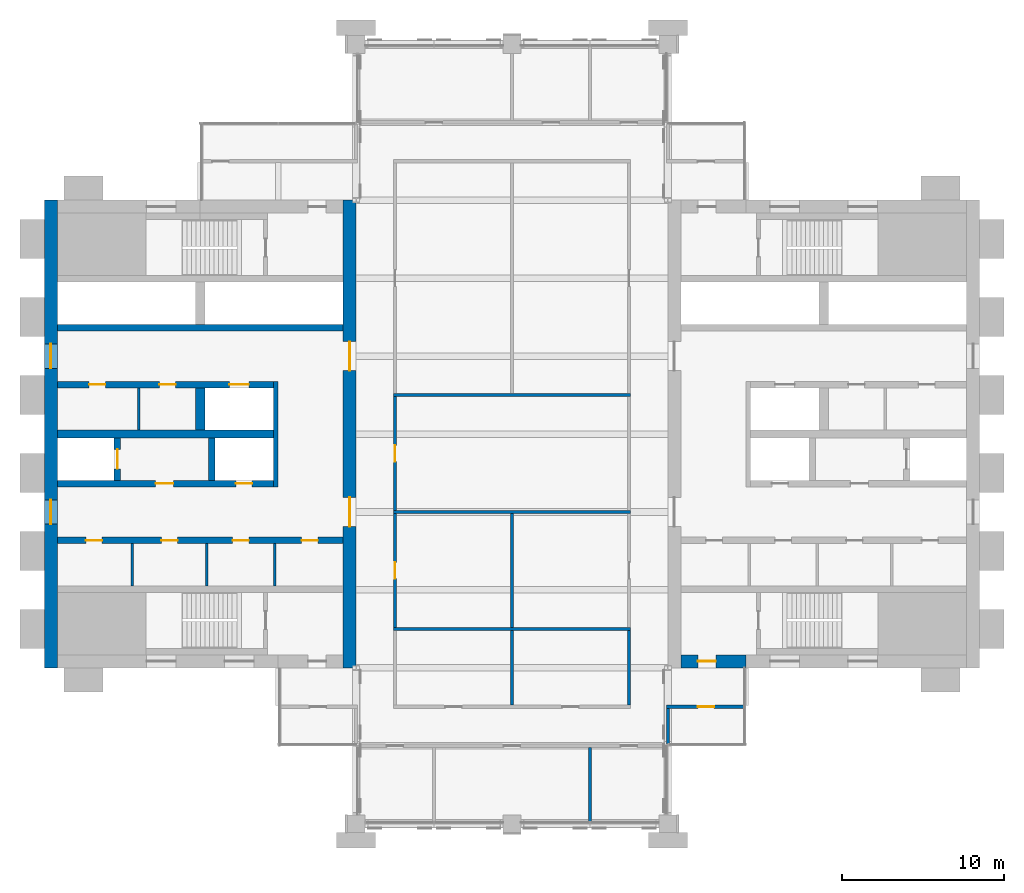
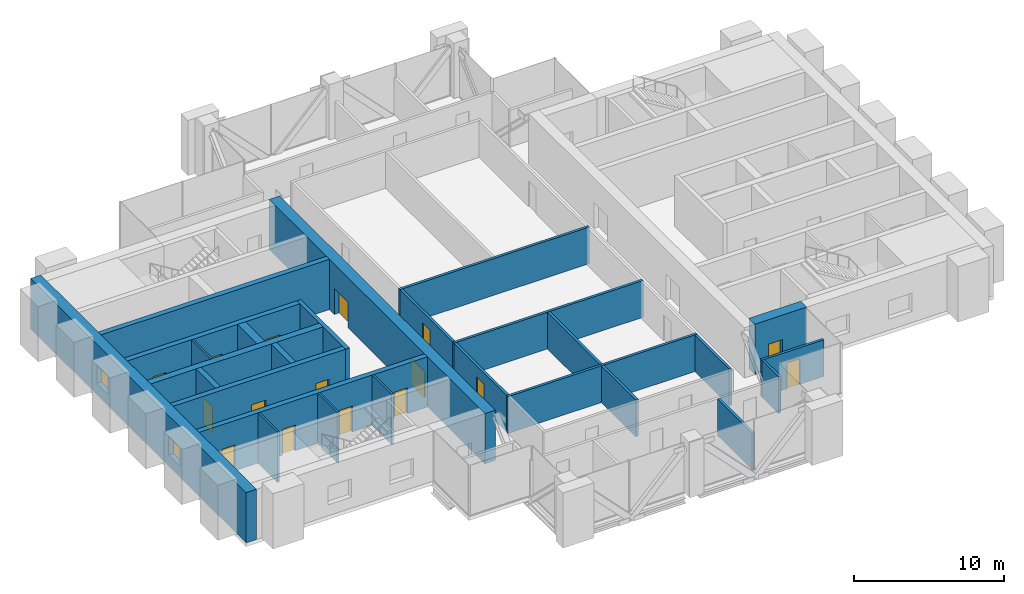
# One storey, part 9 of 13: 27 walls, 16 doors, 2 windows, 18 openings.
"""IFC4 building model written with IfcOpenShell, lengths in metres."""

from ifc_helpers import new_model, si_unit, direction, frame, frame_2d, origin, place, context, subcontext, project, spatial, rectangle, extrude, material, layer, layer_set, type_object, element, fill, save


model = new_model("IFC4")

# Units and contexts
model_context = context("Model", 3, precision=1e-05, world=origin(), true_north=direction((0.0, 1.0)))
body_context = subcontext(model_context, "Body", "Model", "MODEL_VIEW")
ifc_project = project(units=[si_unit("LENGTHUNIT", "METRE"), si_unit("AREAUNIT", "SQUARE_METRE"), si_unit("VOLUMEUNIT", "CUBIC_METRE"), si_unit("PLANEANGLEUNIT", "RADIAN"), si_unit("MASSUNIT", "GRAM", prefix="KILO")], contexts=[model_context])

# Site, building, storey
site_placement = place(None, origin())
site = spatial("IfcSite", under=ifc_project, at=site_placement, CompositionType="ELEMENT")
building_placement = place(site_placement, origin())
building = spatial("IfcBuilding", under=site, at=building_placement, Name="Baori Bourse Tower", CompositionType="ELEMENT")
storey_placement = place(building_placement, frame((0.0, 0.0, 265.199951171875)))
storey = spatial("IfcBuildingStorey", under=building, at=storey_placement, Name="L59", CompositionType="ELEMENT", Elevation=265.199951171875)

# Walls
ifc_material_1 = material(Name="Blockwork partition", Category="masonry")
ifc_layer_1 = layer(ifc_material_1, 0.14990234375)
ifc_layer_set_1 = layer_set([ifc_layer_1], Name="Core partition 150")
wall_type_1 = type_object("IfcWallType", Name="Core partition 150", PredefinedType="PARTITIONING", material=ifc_layer_set_1)
for number, where, z_axis, x_axis, name in (
    (1, (5.39990234375, 14.64990234375, 0.0), (0.0, 0.0, 1.0), (0.0, 1.0, 0.0), "Partition wall W09"),
    (2, (10.0, 14.64990234375, 0.0), (0.0, 0.0, 1.0), (0.0, 1.0, 0.0), "Partition wall W10"),
    (3, (14.199951171875, 14.64990234375, 0.0), (0.0, 0.0, 1.0), (0.0, 1.0, 0.0), "Partition wall W11"),
    (4, (5.800048828125, 24.25, 0.0), (0.0, 0.0, 1.0), (0.0, 1.0, 0.0), "Partition wall W18"),
):
    element("IfcWall", number, at=place(storey_placement, frame(where, z_axis=z_axis, x_axis=x_axis)), inside=storey, type_object=wall_type_1, Name=name, PredefinedType="PARTITIONING", context=body_context, shape_type="SweptSolid", body=[
        extrude(rectangle(XDim=2.60009765625, YDim=0.14990234375, at=frame_2d((1.300048828125, 0.0))), origin(), (0.0, 0.0, 1.0), 4.10009765625),
    ])

# Wall, openings, windows
ifc_material_2 = material(Name="Concrete f'c 50 MPa", Category="concrete")
ifc_layer_2 = layer(ifc_material_2, 0.800048828125)
ifc_layer_set_2 = layer_set([ifc_layer_2], Name="Core wall 800 f'c 50")
wall_type_2 = type_object("IfcWallType", Name="Core wall 800 f'c 50", PredefinedType="SHEAR", material=ifc_layer_set_2)
wall_1_placement = place(storey_placement, frame((0.39990234375, 9.60009765625, 0.0), z_axis=(0.0, 0.0, 1.0), x_axis=(0.0, 1.0, 0.0)))
wall_1 = element("IfcWall", 5, at=wall_1_placement, inside=storey, type_object=wall_type_2, Name="Core wall W01", PredefinedType="SHEAR", context=body_context, shape_type="SweptSolid", body=[
    extrude(rectangle(XDim=28.7998046875, YDim=0.800048828125, at=frame_2d((14.39990234375, 0.0))), origin(), (0.0, 0.0, 1.0), 4.10009765625),
])
opening_1_placement = place(wall_1_placement, frame((8.85009765625, 0.0, 0.89990234375)))
opening_1 = element("IfcOpeningElement", 6, at=opening_1_placement, cuts=wall_1, Name="Opening L59-KW101", PredefinedType="OPENING", context=body_context, shape_type="SweptSolid", body=[
    extrude(rectangle(XDim=1.5, YDim=1.5, at=frame_2d((0.75, 0.75))), frame((0.0, 0.409912109375, 0.0), z_axis=(0.0, -1.0, 0.0), x_axis=(1.0, 0.0, 0.0)), (0.0, 0.0, 1.0), 0.820068359375),
])
opening_2_placement = place(wall_1_placement, frame((18.449951171875, 0.0, 0.89990234375)))
opening_2 = element("IfcOpeningElement", 7, at=opening_2_placement, cuts=wall_1, Name="Opening L59-KW102", PredefinedType="OPENING", context=body_context, shape_type="SweptSolid", body=[
    extrude(rectangle(XDim=1.5, YDim=1.5, at=frame_2d((0.75, 0.75))), frame((0.0, 0.409912109375, 0.0), z_axis=(0.0, -1.0, 0.0), x_axis=(1.0, 0.0, 0.0)), (0.0, 0.0, 1.0), 0.820068359375),
])
ifc_material_3 = material(Name="Pale anodised aluminium", Category="aluminium")
window_type = type_object("IfcWindowType", Name="Lobby window 1500 x 1500", PartitioningType="SINGLE_PANEL", PredefinedType="WINDOW", material=ifc_material_3)
window_1_placement = place(opening_1_placement, origin())
window_1 = element("IfcWindow", 8, at=window_1_placement, inside=storey, type_object=window_type, Name="Outer wall window W L59 1", OverallHeight=1.5, OverallWidth=1.5, PartitioningType="SINGLE_PANEL", PredefinedType="WINDOW", context=body_context, shape_type="SweptSolid", body=[
    extrude(rectangle(XDim=1.5, YDim=1.5, at=frame_2d((0.75, 0.75))), frame((0.0, 0.030029296875, 0.0), z_axis=(0.0, -1.0, 0.0), x_axis=(1.0, 0.0, 0.0)), (0.0, 0.0, 1.0), 0.06005859375),
])
fill(opening_1, window_1)
window_2_placement = place(opening_2_placement, origin())
window_2 = element("IfcWindow", 9, at=window_2_placement, inside=storey, type_object=window_type, Name="Outer wall window W L59 2", OverallHeight=1.5, OverallWidth=1.5, PartitioningType="SINGLE_PANEL", PredefinedType="WINDOW", context=body_context, shape_type="SweptSolid", body=[
    extrude(rectangle(XDim=1.5, YDim=1.5, at=frame_2d((0.75, 0.75))), frame((0.0, 0.030029296875, 0.0), z_axis=(0.0, -1.0, 0.0), x_axis=(1.0, 0.0, 0.0)), (0.0, 0.0, 1.0), 0.06005859375),
])
fill(opening_2, window_2)

# Wall, openings, doors
wall_2_placement = place(storey_placement, frame((18.800048828125, 38.39990234375, 0.0), z_axis=(0.0, 0.0, 1.0), x_axis=(0.0, -1.0, 0.0)))
wall_2 = element("IfcWall", 10, at=wall_2_placement, inside=storey, type_object=wall_type_2, Name="Core wall W04", PredefinedType="SHEAR", context=body_context, shape_type="SweptSolid", body=[
    extrude(rectangle(XDim=28.7998046875, YDim=0.800048828125, at=frame_2d((14.39990234375, 0.0))), origin(), (0.0, 0.0, 1.0), 4.10009765625),
])
opening_3_placement = place(wall_2_placement, frame((18.300048828125, 0.0, 0.0)))
opening_3 = element("IfcOpeningElement", 11, at=opening_3_placement, cuts=wall_2, Name="Opening L59-D107", PredefinedType="OPENING", context=body_context, shape_type="SweptSolid", body=[
    extrude(rectangle(XDim=1.800048828125, YDim=2.10009765625, at=frame_2d((0.89990234375, 1.050048828125))), frame((0.0, 0.409912109375, 0.0), z_axis=(0.0, -1.0, 0.0), x_axis=(1.0, 0.0, 0.0)), (0.0, 0.0, 1.0), 0.820068359375),
])
opening_4_placement = place(wall_2_placement, frame((8.699951171875, 0.0, 0.0)))
opening_4 = element("IfcOpeningElement", 12, at=opening_4_placement, cuts=wall_2, Name="Opening L59-D108", PredefinedType="OPENING", context=body_context, shape_type="SweptSolid", body=[
    extrude(rectangle(XDim=1.800048828125, YDim=2.10009765625, at=frame_2d((0.89990234375, 1.050048828125))), frame((0.0, 0.409912109375, 0.0), z_axis=(0.0, -1.0, 0.0), x_axis=(1.0, 0.0, 0.0)), (0.0, 0.0, 1.0), 0.820068359375),
])
ifc_material_4 = material(Name="Painted steel door", Category="steel")
door_type_1 = type_object("IfcDoorType", Name="Core lobby door 1800", OperationType="DOUBLE_DOOR_SINGLE_SWING", PredefinedType="DOOR", material=ifc_material_4)
door_1_placement = place(opening_3_placement, origin())
door_1 = element("IfcDoor", 13, at=door_1_placement, inside=storey, type_object=door_type_1, Name="Lobby door W L59", OperationType="DOUBLE_DOOR_SINGLE_SWING", OverallHeight=2.10009765625, OverallWidth=1.800048828125, PredefinedType="DOOR", context=body_context, shape_type="SweptSolid", body=[
    extrude(rectangle(XDim=1.800048828125, YDim=2.10009765625, at=frame_2d((0.89990234375, 1.050048828125))), frame((0.0, 0.02490234375, 0.0), z_axis=(0.0, -1.0, 0.0), x_axis=(1.0, 0.0, 0.0)), (0.0, 0.0, 1.0), 0.050048828125),
])
fill(opening_3, door_1)
door_2_placement = place(opening_4_placement, origin())
door_2 = element("IfcDoor", 14, at=door_2_placement, inside=storey, type_object=door_type_1, Name="Lobby door W L59", OperationType="DOUBLE_DOOR_SINGLE_SWING", OverallHeight=2.10009765625, OverallWidth=1.800048828125, PredefinedType="DOOR", context=body_context, shape_type="SweptSolid", body=[
    extrude(rectangle(XDim=1.800048828125, YDim=2.10009765625, at=frame_2d((0.89990234375, 1.050048828125))), frame((0.0, 0.02490234375, 0.0), z_axis=(0.0, -1.0, 0.0), x_axis=(1.0, 0.0, 0.0)), (0.0, 0.0, 1.0), 0.050048828125),
])
fill(opening_4, door_2)

# Wall, opening, door
wall_3_placement = place(storey_placement, frame((43.199951171875, 10.0, 0.0), z_axis=(0.0, 0.0, 1.0), x_axis=(-1.0, 0.0, 0.0)))
wall_3 = element("IfcWall", 15, at=wall_3_placement, inside=storey, type_object=wall_type_2, Name="Core wall E03", PredefinedType="SHEAR", context=body_context, shape_type="SweptSolid", body=[
    extrude(rectangle(XDim=4.0, YDim=0.800048828125, at=frame_2d((2.0, 0.0))), origin(), (0.0, 0.0, 1.0), 4.10009765625),
])
opening_5_placement = place(wall_3_placement, frame((1.85009765625, 0.0, 0.0)))
opening_5 = element("IfcOpeningElement", 16, at=opening_5_placement, cuts=wall_3, Name="Opening L59-D202", PredefinedType="OPENING", context=body_context, shape_type="SweptSolid", body=[
    extrude(rectangle(XDim=1.10009765625, YDim=2.10009765625, at=frame_2d((0.550048828125, 1.050048828125))), frame((0.0, 0.409912109375, 0.0), z_axis=(0.0, -1.0, 0.0), x_axis=(1.0, 0.0, 0.0)), (0.0, 0.0, 1.0), 0.820068359375),
])
ifc_material_5 = material(Name="Painted steel door", Category="steel")
door_type_2 = type_object("IfcDoorType", Name="Stair door 1100", OperationType="SINGLE_SWING_LEFT", PredefinedType="DOOR", material=ifc_material_5)
door_3_placement = place(opening_5_placement, origin())
door_3 = element("IfcDoor", 17, at=door_3_placement, inside=storey, type_object=door_type_2, Name="Stair vestibule door A E L59", OperationType="SINGLE_SWING_LEFT", OverallHeight=2.10009765625, OverallWidth=1.10009765625, PredefinedType="DOOR", context=body_context, shape_type="SweptSolid", body=[
    extrude(rectangle(XDim=1.10009765625, YDim=2.10009765625, at=frame_2d((0.550048828125, 1.050048828125))), frame((0.0, 0.02490234375, 0.0), z_axis=(0.0, -1.0, 0.0), x_axis=(1.0, 0.0, 0.0)), (0.0, 0.0, 1.0), 0.050048828125),
])
fill(opening_5, door_3)

ifc_material_6 = material(Name="Gypsum board partition")
ifc_layer_3 = layer(ifc_material_6, 0.199951171875)
ifc_layer_set_3 = layer_set([ifc_layer_3], Name="Plant room wall 200")
wall_type_3 = type_object("IfcWallType", Name="Plant room wall 200", PredefinedType="PARTITIONING", material=ifc_layer_set_3)
wall_4_placement = place(storey_placement, frame((38.300048828125, 7.199951171875, 0.0), z_axis=(0.0, 0.0, 1.0), x_axis=(1.0, 0.0, 0.0)))
wall_4 = element("IfcWall", 18, at=wall_4_placement, inside=storey, type_object=wall_type_3, Name="Partition", PredefinedType="PARTITIONING", context=body_context, shape_type="SweptSolid", body=[
    extrude(rectangle(XDim=4.800048828125, YDim=0.199951171875, at=frame_2d((2.39990234375, 0.0))), origin(), (0.0, 0.0, 1.0), 2.99267578125),
])
opening_6_placement = place(wall_4_placement, frame((1.949951171875, 0.0, 0.0)))
opening_6 = element("IfcOpeningElement", 19, at=opening_6_placement, cuts=wall_4, Name="Opening L59-D07", PredefinedType="OPENING", context=body_context, shape_type="SweptSolid", body=[
    extrude(rectangle(XDim=1.0, YDim=2.10009765625, at=frame_2d((0.5, 1.050048828125))), frame((0.0, 0.10986328125, 0.0), z_axis=(0.0, -1.0, 0.0), x_axis=(1.0, 0.0, 0.0)), (0.0, 0.0, 1.0), 0.219970703125),
])
ifc_material_7 = material(Name="Timber door leaf", Category="wood")
door_type_3 = type_object("IfcDoorType", Name="Door 1000 x 2100", OperationType="SINGLE_SWING_LEFT", PredefinedType="DOOR", material=ifc_material_7)
door_4_placement = place(opening_6_placement, origin())
door_4 = element("IfcDoor", 20, at=door_4_placement, inside=storey, type_object=door_type_3, Name="Door", OperationType="SINGLE_SWING_RIGHT", OverallHeight=2.10009765625, OverallWidth=1.0, PredefinedType="DOOR", context=body_context, shape_type="SweptSolid", body=[
    extrude(rectangle(XDim=1.0, YDim=2.10009765625, at=frame_2d((0.5, 1.050048828125))), frame((0.0, 0.02490234375, 0.0), z_axis=(0.0, -1.0, 0.0), x_axis=(1.0, 0.0, 0.0)), (0.0, 0.0, 1.0), 0.050048828125),
])
fill(opening_6, door_4)

# Walls
for number, where, z_axis, x_axis, name in (
    (21, (21.5, 12.0, 0.0), (0.0, 0.0, 1.0), (1.0, 0.0, 0.0), "Partition"),
    (22, (21.5, 19.199951171875, 0.0), (0.0, 0.0, 1.0), (1.0, 0.0, 0.0), "Partition"),
    (23, (21.5, 26.39990234375, 0.0), (0.0, 0.0, 1.0), (1.0, 0.0, 0.0), "Partition"),
):
    element("IfcWall", number, at=place(storey_placement, frame(where, z_axis=z_axis, x_axis=x_axis)), inside=storey, type_object=wall_type_3, Name=name, PredefinedType="PARTITIONING", context=body_context, shape_type="SweptSolid", body=[
        extrude(rectangle(XDim=14.60009765625, YDim=0.199951171875, at=frame_2d((7.300048828125, 0.0))), origin(), (0.0, 0.0, 1.0), 2.99267578125),
    ])

# Wall, opening, door
wall_5_placement = place(storey_placement, frame((21.60009765625, 12.10009765625, 0.0), z_axis=(0.0, 0.0, 1.0), x_axis=(0.0, 1.0, 0.0)))
wall_5 = element("IfcWall", 24, at=wall_5_placement, inside=storey, type_object=wall_type_3, Name="Partition", PredefinedType="PARTITIONING", context=body_context, shape_type="SweptSolid", body=[
    extrude(rectangle(XDim=7.0, YDim=0.199951171875, at=frame_2d((3.5, 0.0))), origin(), (0.0, 0.0, 1.0), 2.99267578125),
])
opening_7_placement = place(wall_5_placement, frame((3.0, 0.0, 0.0)))
opening_7 = element("IfcOpeningElement", 25, at=opening_7_placement, cuts=wall_5, Name="Opening L59-D13", PredefinedType="OPENING", context=body_context, shape_type="SweptSolid", body=[
    extrude(rectangle(XDim=1.0, YDim=2.10009765625, at=frame_2d((0.5, 1.050048828125))), frame((0.0, 0.10986328125, 0.0), z_axis=(0.0, -1.0, 0.0), x_axis=(1.0, 0.0, 0.0)), (0.0, 0.0, 1.0), 0.219970703125),
])
door_5_placement = place(opening_7_placement, origin())
door_5 = element("IfcDoor", 26, at=door_5_placement, inside=storey, type_object=door_type_3, Name="Door", OperationType="SINGLE_SWING_LEFT", OverallHeight=2.10009765625, OverallWidth=1.0, PredefinedType="DOOR", context=body_context, shape_type="SweptSolid", body=[
    extrude(rectangle(XDim=1.0, YDim=2.10009765625, at=frame_2d((0.5, 1.050048828125))), frame((0.0, 0.02490234375, 0.0), z_axis=(0.0, -1.0, 0.0), x_axis=(1.0, 0.0, 0.0)), (0.0, 0.0, 1.0), 0.050048828125),
])
fill(opening_7, door_5)

wall_6_placement = place(storey_placement, frame((21.60009765625, 19.300048828125, 0.0), z_axis=(0.0, 0.0, 1.0), x_axis=(0.0, 1.0, 0.0)))
wall_6 = element("IfcWall", 27, at=wall_6_placement, inside=storey, type_object=wall_type_3, Name="Partition", PredefinedType="PARTITIONING", context=body_context, shape_type="SweptSolid", body=[
    extrude(rectangle(XDim=7.0, YDim=0.199951171875, at=frame_2d((3.5, 0.0))), origin(), (0.0, 0.0, 1.0), 2.99267578125),
])
opening_8_placement = place(wall_6_placement, frame((3.0, 0.0, 0.0)))
opening_8 = element("IfcOpeningElement", 28, at=opening_8_placement, cuts=wall_6, Name="Opening L59-D14", PredefinedType="OPENING", context=body_context, shape_type="SweptSolid", body=[
    extrude(rectangle(XDim=1.0, YDim=2.10009765625, at=frame_2d((0.5, 1.050048828125))), frame((0.0, 0.10986328125, 0.0), z_axis=(0.0, -1.0, 0.0), x_axis=(1.0, 0.0, 0.0)), (0.0, 0.0, 1.0), 0.219970703125),
])
door_6_placement = place(opening_8_placement, origin())
door_6 = element("IfcDoor", 29, at=door_6_placement, inside=storey, type_object=door_type_3, Name="Door", OperationType="SINGLE_SWING_LEFT", OverallHeight=2.10009765625, OverallWidth=1.0, PredefinedType="DOOR", context=body_context, shape_type="SweptSolid", body=[
    extrude(rectangle(XDim=1.0, YDim=2.10009765625, at=frame_2d((0.5, 1.050048828125))), frame((0.0, 0.02490234375, 0.0), z_axis=(0.0, -1.0, 0.0), x_axis=(1.0, 0.0, 0.0)), (0.0, 0.0, 1.0), 0.050048828125),
])
fill(opening_8, door_6)

# Walls
wall_7_placement = place(storey_placement, frame((28.800048828125, 7.300048828125, 0.0), z_axis=(0.0, 0.0, 1.0), x_axis=(0.0, 1.0, 0.0)))
element("IfcWall", 30, at=wall_7_placement, inside=storey, type_object=wall_type_3, Name="Partition", PredefinedType="PARTITIONING", context=body_context, shape_type="SweptSolid", body=[
    extrude(rectangle(XDim=4.599853515625, YDim=0.199951171875, at=frame_2d((2.2998046875, 0.0))), origin(), (0.0, 0.0, 1.0), 2.99267578125),
])
wall_8_placement = place(storey_placement, frame((28.800048828125, 12.10009765625, 0.0), z_axis=(0.0, 0.0, 1.0), x_axis=(0.0, 1.0, 0.0)))
element("IfcWall", 31, at=wall_8_placement, inside=storey, type_object=wall_type_3, Name="Partition", PredefinedType="PARTITIONING", context=body_context, shape_type="SweptSolid", body=[
    extrude(rectangle(XDim=7.0, YDim=0.199951171875, at=frame_2d((3.5, 0.0))), origin(), (0.0, 0.0, 1.0), 2.99267578125),
])
for number, where, z_axis, x_axis, name in (
    (32, (33.60009765625, 0.10009765625, 0.0), (0.0, 0.0, 1.0), (0.0, 1.0, 0.0), "Partition"),
    (33, (36.0, 7.300048828125, 0.0), (0.0, 0.0, 1.0), (0.0, 1.0, 0.0), "Partition"),
):
    element("IfcWall", number, at=place(storey_placement, frame(where, z_axis=z_axis, x_axis=x_axis)), inside=storey, type_object=wall_type_3, Name=name, PredefinedType="PARTITIONING", context=body_context, shape_type="SweptSolid", body=[
        extrude(rectangle(XDim=4.599853515625, YDim=0.199951171875, at=frame_2d((2.2998046875, 0.0))), origin(), (0.0, 0.0, 1.0), 2.99267578125),
    ])
wall_9_placement = place(storey_placement, frame((38.39990234375, 4.89990234375, 0.0), z_axis=(0.0, 0.0, 1.0), x_axis=(0.0, 1.0, 0.0)))
element("IfcWall", 34, at=wall_9_placement, inside=storey, type_object=wall_type_3, Name="Partition", PredefinedType="PARTITIONING", context=body_context, shape_type="SweptSolid", body=[
    extrude(rectangle(XDim=2.2001953125, YDim=0.199951171875, at=frame_2d((1.10009765625, 0.0))), origin(), (0.0, 0.0, 1.0), 2.99267578125),
])
ifc_material_8 = material(Name="Concrete f'c 50 MPa", Category="concrete")
ifc_layer_4 = layer(ifc_material_8, 0.300048828125)
ifc_layer_set_4 = layer_set([ifc_layer_4], Name="Shaft wall 300 f'c 50")
wall_type_4 = type_object("IfcWallType", Name="Shaft wall 300 f'c 50", PredefinedType="SHEAR", material=ifc_layer_set_4)
wall_10_placement = place(storey_placement, frame((14.25, 20.75, 0.0), z_axis=(0.0, 0.0, 1.0), x_axis=(0.0, 1.0, 0.0)))
element("IfcWall", 35, at=wall_10_placement, inside=storey, type_object=wall_type_4, Name="Core wall W14", PredefinedType="SHEAR", context=body_context, shape_type="SweptSolid", body=[
    extrude(rectangle(XDim=6.5, YDim=0.300048828125, at=frame_2d((3.25, 0.0))), origin(), (0.0, 0.0, 1.0), 4.10009765625),
])

# Wall, openings, doors
ifc_material_9 = material(Name="Concrete f'c 50 MPa", Category="concrete")
ifc_layer_5 = layer(ifc_material_9, 0.39990234375)
ifc_layer_set_5 = layer_set([ifc_layer_5], Name="Shaft wall 400 f'c 50")
wall_type_5 = type_object("IfcWallType", Name="Shaft wall 400 f'c 50", PredefinedType="SHEAR", material=ifc_layer_set_5)
wall_11_placement = place(storey_placement, frame((0.800048828125, 17.449951171875, 0.0), z_axis=(0.0, 0.0, 1.0), x_axis=(1.0, 0.0, 0.0)))
wall_11 = element("IfcWall", 36, at=wall_11_placement, inside=storey, type_object=wall_type_5, Name="Core wall W12", PredefinedType="SHEAR", context=body_context, shape_type="SweptSolid", body=[
    extrude(rectangle(XDim=17.599853515625, YDim=0.39990234375, at=frame_2d((8.7998046875, 0.0))), origin(), (0.0, 0.0, 1.0), 4.10009765625),
])
opening_9_placement = place(wall_11_placement, frame((1.762451171875, 0.0, 0.0)))
opening_9 = element("IfcOpeningElement", 37, at=opening_9_placement, cuts=wall_11, Name="Opening L59-D109", PredefinedType="OPENING", context=body_context, shape_type="SweptSolid", body=[
    extrude(rectangle(XDim=1.0, YDim=2.10009765625, at=frame_2d((0.5, 1.050048828125))), frame((0.0, 0.2099609375, 0.0), z_axis=(0.0, -1.0, 0.0), x_axis=(1.0, 0.0, 0.0)), (0.0, 0.0, 1.0), 0.419921875),
])
opening_10_placement = place(wall_11_placement, frame((6.39990234375, 0.0, 0.0)))
opening_10 = element("IfcOpeningElement", 38, at=opening_10_placement, cuts=wall_11, Name="Opening L59-D110", PredefinedType="OPENING", context=body_context, shape_type="SweptSolid", body=[
    extrude(rectangle(XDim=1.0, YDim=2.10009765625, at=frame_2d((0.5, 1.050048828125))), frame((0.0, 0.2099609375, 0.0), z_axis=(0.0, -1.0, 0.0), x_axis=(1.0, 0.0, 0.0)), (0.0, 0.0, 1.0), 0.419921875),
])
opening_11_placement = place(wall_11_placement, frame((10.800048828125, 0.0, 0.0)))
opening_11 = element("IfcOpeningElement", 39, at=opening_11_placement, cuts=wall_11, Name="Opening L59-D111", PredefinedType="OPENING", context=body_context, shape_type="SweptSolid", body=[
    extrude(rectangle(XDim=1.0, YDim=2.10009765625, at=frame_2d((0.5, 1.050048828125))), frame((0.0, 0.2099609375, 0.0), z_axis=(0.0, -1.0, 0.0), x_axis=(1.0, 0.0, 0.0)), (0.0, 0.0, 1.0), 0.419921875),
])
opening_12_placement = place(wall_11_placement, frame((15.03759765625, 0.0, 0.0)))
opening_12 = element("IfcOpeningElement", 40, at=opening_12_placement, cuts=wall_11, Name="Opening L59-D112", PredefinedType="OPENING", context=body_context, shape_type="SweptSolid", body=[
    extrude(rectangle(XDim=1.0, YDim=2.10009765625, at=frame_2d((0.5, 1.050048828125))), frame((0.0, 0.2099609375, 0.0), z_axis=(0.0, -1.0, 0.0), x_axis=(1.0, 0.0, 0.0)), (0.0, 0.0, 1.0), 0.419921875),
])
ifc_material_10 = material(Name="Painted steel door", Category="steel")
door_type_4 = type_object("IfcDoorType", Name="Core door 1000", OperationType="SINGLE_SWING_LEFT", PredefinedType="DOOR", material=ifc_material_10)
door_7_placement = place(opening_11_placement, origin())
door_7 = element("IfcDoor", 41, at=door_7_placement, inside=storey, type_object=door_type_4, Name="Plant Floor Refuge Room door W L59", OperationType="SINGLE_SWING_LEFT", OverallHeight=2.10009765625, OverallWidth=1.0, PredefinedType="DOOR", context=body_context, shape_type="SweptSolid", body=[
    extrude(rectangle(XDim=1.0, YDim=2.10009765625, at=frame_2d((0.5, 1.050048828125))), frame((0.0, 0.02490234375, 0.0), z_axis=(0.0, -1.0, 0.0), x_axis=(1.0, 0.0, 0.0)), (0.0, 0.0, 1.0), 0.050048828125),
])
fill(opening_11, door_7)
ifc_material_11 = material(Name="Painted steel door", Category="steel")
door_type_5 = type_object("IfcDoorType", Name="Plant room door 1000", OperationType="SINGLE_SWING_LEFT", PredefinedType="DOOR", material=ifc_material_11)
door_8_placement = place(opening_9_placement, origin())
door_8 = element("IfcDoor", 42, at=door_8_placement, inside=storey, type_object=door_type_5, Name="Electrical Room door W L59", OperationType="SINGLE_SWING_LEFT", OverallHeight=2.10009765625, OverallWidth=1.0, PredefinedType="DOOR", context=body_context, shape_type="SweptSolid", body=[
    extrude(rectangle(XDim=1.0, YDim=2.10009765625, at=frame_2d((0.5, 1.050048828125))), frame((0.0, 0.02490234375, 0.0), z_axis=(0.0, -1.0, 0.0), x_axis=(1.0, 0.0, 0.0)), (0.0, 0.0, 1.0), 0.050048828125),
])
fill(opening_9, door_8)
door_9_placement = place(opening_10_placement, origin())
door_9 = element("IfcDoor", 43, at=door_9_placement, inside=storey, type_object=door_type_5, Name="Mechanical Room door W L59", OperationType="SINGLE_SWING_LEFT", OverallHeight=2.10009765625, OverallWidth=1.0, PredefinedType="DOOR", context=body_context, shape_type="SweptSolid", body=[
    extrude(rectangle(XDim=1.0, YDim=2.10009765625, at=frame_2d((0.5, 1.050048828125))), frame((0.0, 0.02490234375, 0.0), z_axis=(0.0, -1.0, 0.0), x_axis=(1.0, 0.0, 0.0)), (0.0, 0.0, 1.0), 0.050048828125),
])
fill(opening_10, door_9)
door_10_placement = place(opening_12_placement, origin())
door_10 = element("IfcDoor", 44, at=door_10_placement, inside=storey, type_object=door_type_5, Name="Communications Room door W L59", OperationType="SINGLE_SWING_LEFT", OverallHeight=2.10009765625, OverallWidth=1.0, PredefinedType="DOOR", context=body_context, shape_type="SweptSolid", body=[
    extrude(rectangle(XDim=1.0, YDim=2.10009765625, at=frame_2d((0.5, 1.050048828125))), frame((0.0, 0.02490234375, 0.0), z_axis=(0.0, -1.0, 0.0), x_axis=(1.0, 0.0, 0.0)), (0.0, 0.0, 1.0), 0.050048828125),
])
fill(opening_12, door_10)

wall_12_placement = place(storey_placement, frame((0.800048828125, 20.949951171875, 0.0), z_axis=(0.0, 0.0, 1.0), x_axis=(1.0, 0.0, 0.0)))
wall_12 = element("IfcWall", 45, at=wall_12_placement, inside=storey, type_object=wall_type_5, Name="Core wall W13", PredefinedType="SHEAR", context=body_context, shape_type="SweptSolid", body=[
    extrude(rectangle(XDim=13.300048828125, YDim=0.39990234375, at=frame_2d((6.64990234375, 0.0))), origin(), (0.0, 0.0, 1.0), 4.10009765625),
])
opening_13_placement = place(wall_12_placement, frame((6.050048828125, 0.0, 0.0)))
opening_13 = element("IfcOpeningElement", 46, at=opening_13_placement, cuts=wall_12, Name="Opening L59-D105", PredefinedType="OPENING", context=body_context, shape_type="SweptSolid", body=[
    extrude(rectangle(XDim=1.10009765625, YDim=2.10009765625, at=frame_2d((0.550048828125, 1.050048828125))), frame((0.0, 0.2099609375, 0.0), z_axis=(0.0, -1.0, 0.0), x_axis=(1.0, 0.0, 0.0)), (0.0, 0.0, 1.0), 0.419921875),
])
opening_14_placement = place(wall_12_placement, frame((11.0, 0.0, 0.0)))
opening_14 = element("IfcOpeningElement", 47, at=opening_14_placement, cuts=wall_12, Name="Opening L59-D106", PredefinedType="OPENING", context=body_context, shape_type="SweptSolid", body=[
    extrude(rectangle(XDim=1.0, YDim=2.10009765625, at=frame_2d((0.5, 1.050048828125))), frame((0.0, 0.2099609375, 0.0), z_axis=(0.0, -1.0, 0.0), x_axis=(1.0, 0.0, 0.0)), (0.0, 0.0, 1.0), 0.419921875),
])
ifc_material_12 = material(Name="Painted steel door", Category="steel")
door_type_6 = type_object("IfcDoorType", Name="Lobby door 1100", OperationType="SINGLE_SWING_LEFT", PredefinedType="DOOR", material=ifc_material_12)
door_11_placement = place(opening_13_placement, origin())
door_11 = element("IfcDoor", 48, at=door_11_placement, inside=storey, type_object=door_type_6, Name="Firefighting lobby door W L59", OperationType="SINGLE_SWING_LEFT", OverallHeight=2.10009765625, OverallWidth=1.10009765625, PredefinedType="DOOR", context=body_context, shape_type="SweptSolid", body=[
    extrude(rectangle(XDim=1.10009765625, YDim=2.10009765625, at=frame_2d((0.550048828125, 1.050048828125))), frame((0.0, 0.02490234375, 0.0), z_axis=(0.0, -1.0, 0.0), x_axis=(1.0, 0.0, 0.0)), (0.0, 0.0, 1.0), 0.050048828125),
])
fill(opening_13, door_11)
ifc_material_13 = material(Name="Painted steel door", Category="steel")
door_type_7 = type_object("IfcDoorType", Name="Shaft door 1000", OperationType="SINGLE_SWING_LEFT", PredefinedType="DOOR", material=ifc_material_13)
door_12_placement = place(opening_14_placement, origin())
door_12 = element("IfcDoor", 49, at=door_12_placement, inside=storey, type_object=door_type_7, Name="Riser room door W L59", OperationType="SINGLE_SWING_LEFT", OverallHeight=2.10009765625, OverallWidth=1.0, PredefinedType="DOOR", context=body_context, shape_type="SweptSolid", body=[
    extrude(rectangle(XDim=1.0, YDim=2.10009765625, at=frame_2d((0.5, 1.050048828125))), frame((0.0, 0.02490234375, 0.0), z_axis=(0.0, -1.0, 0.0), x_axis=(1.0, 0.0, 0.0)), (0.0, 0.0, 1.0), 0.050048828125),
])
fill(opening_14, door_12)

# Wall, opening, door
wall_13_placement = place(storey_placement, frame((4.5, 21.14990234375, 0.0), z_axis=(0.0, 0.0, 1.0), x_axis=(0.0, 1.0, 0.0)))
wall_13 = element("IfcWall", 50, at=wall_13_placement, inside=storey, type_object=wall_type_5, Name="Core wall W15", PredefinedType="SHEAR", context=body_context, shape_type="SweptSolid", body=[
    extrude(rectangle(XDim=2.60009765625, YDim=0.39990234375, at=frame_2d((1.300048828125, 0.0))), origin(), (0.0, 0.0, 1.0), 4.10009765625),
])
opening_15_placement = place(wall_13_placement, frame((0.699951171875, 0.0, 0.0)))
opening_15 = element("IfcOpeningElement", 51, at=opening_15_placement, cuts=wall_13, Name="Opening L59-D116", PredefinedType="OPENING", context=body_context, shape_type="SweptSolid", body=[
    extrude(rectangle(XDim=1.199951171875, YDim=2.10009765625, at=frame_2d((0.60009765625, 1.050048828125))), frame((0.0, 0.2099609375, 0.0), z_axis=(0.0, -1.0, 0.0), x_axis=(1.0, 0.0, 0.0)), (0.0, 0.0, 1.0), 0.419921875),
])
ifc_material_14 = material(Name="Stainless steel door", Category="steel")
door_type_8 = type_object("IfcDoorType", Name="Lift landing door", OperationType="DOUBLE_DOOR_SLIDING", PredefinedType="DOOR", material=ifc_material_14)
door_13_placement = place(opening_15_placement, origin())
door_13 = element("IfcDoor", 52, at=door_13_placement, inside=storey, type_object=door_type_8, Name="Lift landing door FF1 W L59", OperationType="DOUBLE_DOOR_SLIDING", OverallHeight=2.10009765625, OverallWidth=1.199951171875, PredefinedType="DOOR", context=body_context, shape_type="SweptSolid", body=[
    extrude(rectangle(XDim=1.199951171875, YDim=2.10009765625, at=frame_2d((0.60009765625, 1.050048828125))), frame((0.0, 0.02490234375, 0.0), z_axis=(0.0, -1.0, 0.0), x_axis=(1.0, 0.0, 0.0)), (0.0, 0.0, 1.0), 0.050048828125),
])
fill(opening_15, door_13)

# Wall
wall_14_placement = place(storey_placement, frame((10.300048828125, 21.14990234375, 0.0), z_axis=(0.0, 0.0, 1.0), x_axis=(0.0, 1.0, 0.0)))
element("IfcWall", 53, at=wall_14_placement, inside=storey, type_object=wall_type_5, Name="Core wall W16", PredefinedType="SHEAR", context=body_context, shape_type="SweptSolid", body=[
    extrude(rectangle(XDim=2.60009765625, YDim=0.39990234375, at=frame_2d((1.300048828125, 0.0))), origin(), (0.0, 0.0, 1.0), 4.10009765625),
])

# Wall, openings, doors
wall_15_placement = place(storey_placement, frame((0.800048828125, 27.050048828125, 0.0), z_axis=(0.0, 0.0, 1.0), x_axis=(1.0, 0.0, 0.0)))
wall_15 = element("IfcWall", 54, at=wall_15_placement, inside=storey, type_object=wall_type_5, Name="Core wall W20", PredefinedType="SHEAR", context=body_context, shape_type="SweptSolid", body=[
    extrude(rectangle(XDim=13.300048828125, YDim=0.39990234375, at=frame_2d((6.64990234375, 0.0))), origin(), (0.0, 0.0, 1.0), 4.10009765625),
])
opening_16_placement = place(wall_15_placement, frame((1.96240234375, 0.0, 0.0)))
opening_16 = element("IfcOpeningElement", 55, at=opening_16_placement, cuts=wall_15, Name="Opening L59-D113", PredefinedType="OPENING", context=body_context, shape_type="SweptSolid", body=[
    extrude(rectangle(XDim=1.0, YDim=2.10009765625, at=frame_2d((0.5, 1.050048828125))), frame((0.0, 0.2099609375, 0.0), z_axis=(0.0, -1.0, 0.0), x_axis=(1.0, 0.0, 0.0)), (0.0, 0.0, 1.0), 0.419921875),
])
opening_17_placement = place(wall_15_placement, frame((6.28759765625, 0.0, 0.0)))
opening_17 = element("IfcOpeningElement", 56, at=opening_17_placement, cuts=wall_15, Name="Opening L59-D114", PredefinedType="OPENING", context=body_context, shape_type="SweptSolid", body=[
    extrude(rectangle(XDim=1.0, YDim=2.10009765625, at=frame_2d((0.5, 1.050048828125))), frame((0.0, 0.2099609375, 0.0), z_axis=(0.0, -1.0, 0.0), x_axis=(1.0, 0.0, 0.0)), (0.0, 0.0, 1.0), 0.419921875),
])
opening_18_placement = place(wall_15_placement, frame((10.60009765625, 0.0, 0.0)))
opening_18 = element("IfcOpeningElement", 57, at=opening_18_placement, cuts=wall_15, Name="Opening L59-D115", PredefinedType="OPENING", context=body_context, shape_type="SweptSolid", body=[
    extrude(rectangle(XDim=1.199951171875, YDim=2.10009765625, at=frame_2d((0.60009765625, 1.050048828125))), frame((0.0, 0.2099609375, 0.0), z_axis=(0.0, -1.0, 0.0), x_axis=(1.0, 0.0, 0.0)), (0.0, 0.0, 1.0), 0.419921875),
])
door_14_placement = place(opening_17_placement, origin())
door_14 = element("IfcDoor", 58, at=door_14_placement, inside=storey, type_object=door_type_4, Name="Store Room door W L59", OperationType="SINGLE_SWING_LEFT", OverallHeight=2.10009765625, OverallWidth=1.0, PredefinedType="DOOR", context=body_context, shape_type="SweptSolid", body=[
    extrude(rectangle(XDim=1.0, YDim=2.10009765625, at=frame_2d((0.5, 1.050048828125))), frame((0.0, 0.02490234375, 0.0), z_axis=(0.0, -1.0, 0.0), x_axis=(1.0, 0.0, 0.0)), (0.0, 0.0, 1.0), 0.050048828125),
])
fill(opening_17, door_14)
door_15_placement = place(opening_18_placement, origin())
door_15 = element("IfcDoor", 59, at=door_15_placement, inside=storey, type_object=door_type_8, Name="Lift landing door SV1 W L59", OperationType="DOUBLE_DOOR_SLIDING", OverallHeight=2.10009765625, OverallWidth=1.199951171875, PredefinedType="DOOR", context=body_context, shape_type="SweptSolid", body=[
    extrude(rectangle(XDim=1.199951171875, YDim=2.10009765625, at=frame_2d((0.60009765625, 1.050048828125))), frame((0.0, 0.02490234375, 0.0), z_axis=(0.0, -1.0, 0.0), x_axis=(1.0, 0.0, 0.0)), (0.0, 0.0, 1.0), 0.050048828125),
])
fill(opening_18, door_15)
door_16_placement = place(opening_16_placement, origin())
door_16 = element("IfcDoor", 60, at=door_16_placement, inside=storey, type_object=door_type_5, Name="Mechanical Room door W L59", OperationType="SINGLE_SWING_LEFT", OverallHeight=2.10009765625, OverallWidth=1.0, PredefinedType="DOOR", context=body_context, shape_type="SweptSolid", body=[
    extrude(rectangle(XDim=1.0, YDim=2.10009765625, at=frame_2d((0.5, 1.050048828125))), frame((0.0, 0.02490234375, 0.0), z_axis=(0.0, -1.0, 0.0), x_axis=(1.0, 0.0, 0.0)), (0.0, 0.0, 1.0), 0.050048828125),
])
fill(opening_16, door_16)

# Walls
wall_16_placement = place(storey_placement, frame((0.800048828125, 30.550048828125, 0.0), z_axis=(0.0, 0.0, 1.0), x_axis=(1.0, 0.0, 0.0)))
element("IfcWall", 61, at=wall_16_placement, inside=storey, type_object=wall_type_5, Name="Core wall W21", PredefinedType="SHEAR", context=body_context, shape_type="SweptSolid", body=[
    extrude(rectangle(XDim=17.599853515625, YDim=0.39990234375, at=frame_2d((8.7998046875, 0.0))), origin(), (0.0, 0.0, 1.0), 4.10009765625),
])
ifc_material_15 = material(Name="Concrete f'c 50 MPa", Category="concrete")
ifc_layer_6 = layer(ifc_material_15, 0.5)
ifc_layer_set_6 = layer_set([ifc_layer_6], Name="Shaft wall 500 f'c 50")
wall_type_6 = type_object("IfcWallType", Name="Shaft wall 500 f'c 50", PredefinedType="SHEAR", material=ifc_layer_set_6)
wall_17_placement = place(storey_placement, frame((0.800048828125, 24.0, 0.0), z_axis=(0.0, 0.0, 1.0), x_axis=(1.0, 0.0, 0.0)))
element("IfcWall", 62, at=wall_17_placement, inside=storey, type_object=wall_type_6, Name="Core wall W17", PredefinedType="SHEAR", context=body_context, shape_type="SweptSolid", body=[
    extrude(rectangle(XDim=13.300048828125, YDim=0.5, at=frame_2d((6.64990234375, 0.0))), origin(), (0.0, 0.0, 1.0), 4.10009765625),
])
ifc_material_16 = material(Name="Concrete f'c 50 MPa", Category="concrete")
ifc_layer_7 = layer(ifc_material_16, 0.60009765625)
ifc_layer_set_7 = layer_set([ifc_layer_7], Name="Shaft wall 600 f'c 50")
wall_type_7 = type_object("IfcWallType", Name="Shaft wall 600 f'c 50", PredefinedType="SHEAR", material=ifc_layer_set_7)
wall_18_placement = place(storey_placement, frame((9.60009765625, 24.25, 0.0), z_axis=(0.0, 0.0, 1.0), x_axis=(0.0, 1.0, 0.0)))
element("IfcWall", 63, at=wall_18_placement, inside=storey, type_object=wall_type_7, Name="Core wall W19", PredefinedType="SHEAR", context=body_context, shape_type="SweptSolid", body=[
    extrude(rectangle(XDim=2.60009765625, YDim=0.60009765625, at=frame_2d((1.300048828125, 0.0))), origin(), (0.0, 0.0, 1.0), 4.10009765625),
])

save(model, "model.ifc")
